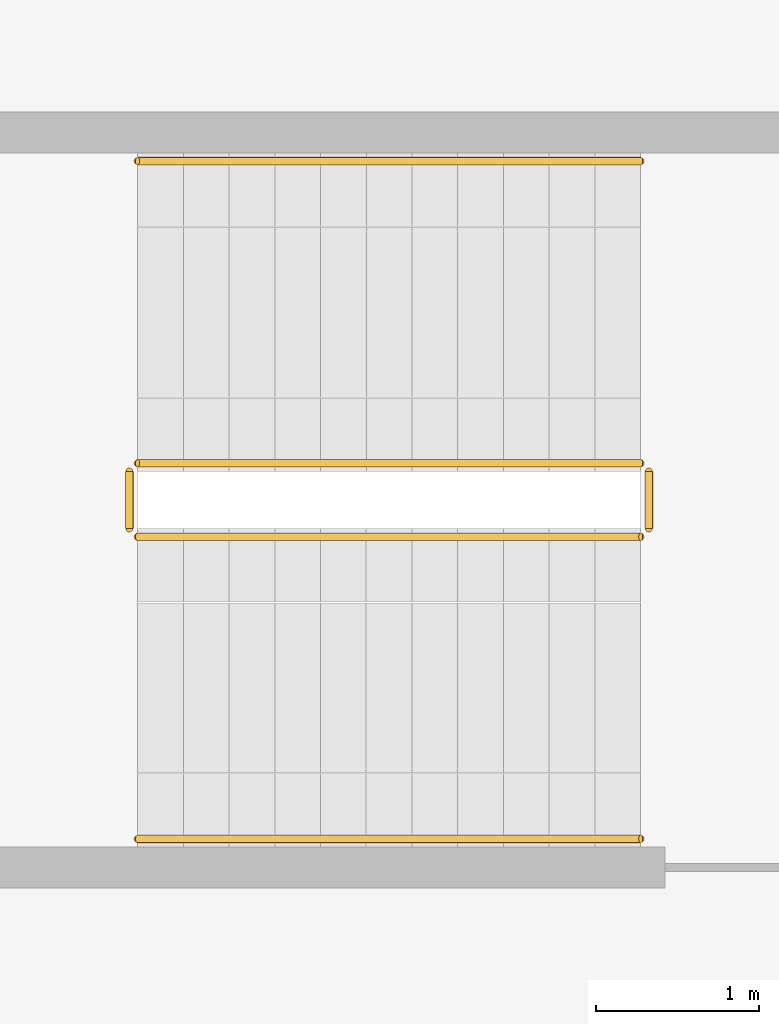
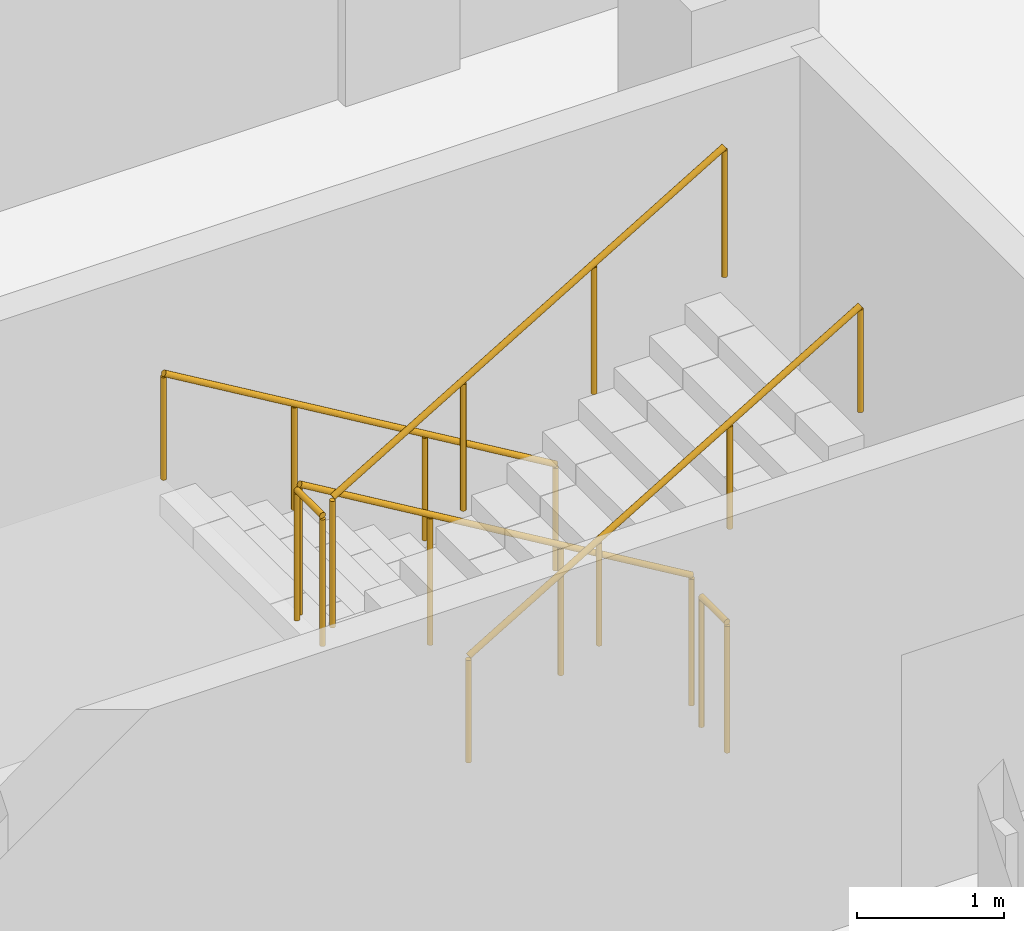
# One storey, part 15 of 15: 1 railing.
"""IFC4 building model written with IfcOpenShell, lengths in metres."""

from ifc_helpers import new_model, si_unit, direction, frame, origin, origin_2d, place, context, subcontext, project, spatial, circle, extrude, material, type_object, element, save


model = new_model("IFC4")

# Units and contexts
model_context = context("Model", 3, precision=1e-05, world=origin(), true_north=direction((0.0, 1.0)))
body_context = subcontext(model_context, "Body", "Model", "MODEL_VIEW")
ifc_project = project(units=[si_unit("LENGTHUNIT", "METRE"), si_unit("AREAUNIT", "SQUARE_METRE"), si_unit("VOLUMEUNIT", "CUBIC_METRE"), si_unit("PLANEANGLEUNIT", "RADIAN"), si_unit("MASSUNIT", "GRAM", prefix="KILO")], contexts=[model_context])

# Site, building, storey
site_placement = place(None, origin())
site = spatial("IfcSite", under=ifc_project, at=site_placement, CompositionType="ELEMENT")
building_placement = place(site_placement, origin())
building = spatial("IfcBuilding", under=site, at=building_placement, Name="Corbelhall Arena Tower", CompositionType="ELEMENT")
storey_placement = place(building_placement, frame((0.0, 0.0, 200.0)))
storey = spatial("IfcBuildingStorey", under=building, at=storey_placement, Name="L41", CompositionType="ELEMENT", Elevation=200.0)

# Railing
ifc_material = material(Name="Steel ASTM A500 Gr C", Category="steel")
railing_type = type_object("IfcRailingType", Name="IN-GD-1100", PredefinedType="GUARDRAIL", material=ifc_material)
railing_placement = place(storey_placement, frame((11.425048828125, 14.77490234375, 0.166748046875)))
element("IfcRailing", 1, at=railing_placement, inside=storey, type_object=railing_type, Name="L41 ST3 stair guards and handrails", PredefinedType="GUARDRAIL", context=body_context, shape_type="SweptSolid", body=[
    extrude(circle(Radius=0.02392578125, at=origin_2d()), frame((0.0, 0.0, 1.076171875), z_axis=(-0.859308565015, 0.0, 0.511457515432), x_axis=(0.0, -1.0, 0.0)), (0.0, 0.0, 1.0), 3.58447265625),
    extrude(circle(Radius=0.02392578125, at=origin_2d()), frame((-3.130126953125, -0.0498046875, 2.9091796875), z_axis=(0.0, -1.0, 0.0), x_axis=(1.0, 0.0, 0.0)), (0.0, 0.0, 1.0), 0.35009765625),
    extrude(circle(Radius=0.02392578125, at=origin_2d()), frame((-3.080078125, -0.449951171875, 3.076171875), z_axis=(0.859308565015, 0.0, 0.511457515432), x_axis=(0.0, 1.0, 0.0)), (0.0, 0.0, 1.0), 3.58447265625),
    extrude(circle(Radius=0.02392578125, at=origin_2d()), frame((0.050048828125, -0.0498046875, 0.9091796875), z_axis=(0.0, -1.0, 0.0), x_axis=(1.0, 0.0, 0.0)), (0.0, 0.0, 1.0), 0.35009765625),
    extrude(circle(Radius=0.02392578125, at=origin_2d()), frame((0.0, 1.85009765625, 0.8759765625), z_axis=(-0.859308565015, 0.0, 0.511457515432), x_axis=(0.0, -1.0, 0.0)), (0.0, 0.0, 1.0), 3.58447265625),
    extrude(circle(Radius=0.02392578125, at=origin_2d()), frame((-3.080078125, -2.2998046875, 2.8759765625), z_axis=(0.859308565015, 0.0, 0.511457515432), x_axis=(0.0, 1.0, 0.0)), (0.0, 0.0, 1.0), 3.58447265625),
    extrude(circle(Radius=0.02099609375, at=origin_2d()), origin(), (0.0, 0.0, 1.0), 1.052001953125),
    extrude(circle(Radius=0.02099609375, at=origin_2d()), frame((-1.026611328125, 0.0, 0.611083984375)), (0.0, 0.0, 1.0), 1.052001953125),
    extrude(circle(Radius=0.02099609375, at=origin_2d()), frame((-2.053466796875, 0.0, 1.22216796875)), (0.0, 0.0, 1.0), 1.052001953125),
    extrude(circle(Radius=0.02099609375, at=origin_2d()), frame((-3.080078125, 0.0, 1.833251953125)), (0.0, 0.0, 1.0), 1.052001953125),
    extrude(circle(Radius=0.02099609375, at=origin_2d()), frame((-3.130126953125, -0.0498046875, 1.833251953125)), (0.0, 0.0, 1.0), 1.052001953125),
    extrude(circle(Radius=0.02099609375, at=origin_2d()), frame((-3.130126953125, -0.39990234375, 1.833251953125)), (0.0, 0.0, 1.0), 1.052001953125),
    extrude(circle(Radius=0.02099609375, at=origin_2d()), frame((-3.080078125, -0.449951171875, 2.0)), (0.0, 0.0, 1.0), 1.052001953125),
    extrude(circle(Radius=0.02099609375, at=origin_2d()), frame((-2.053466796875, -0.449951171875, 2.611083984375)), (0.0, 0.0, 1.0), 1.052001953125),
    extrude(circle(Radius=0.02099609375, at=origin_2d()), frame((-1.026611328125, -0.449951171875, 3.22216796875)), (0.0, 0.0, 1.0), 1.052001953125),
    extrude(circle(Radius=0.02099609375, at=origin_2d()), frame((0.0, -0.449951171875, 3.833251953125)), (0.0, 0.0, 1.0), 1.052001953125),
    extrude(circle(Radius=0.02099609375, at=origin_2d()), frame((0.050048828125, -0.0498046875, -0.166748046875)), (0.0, 0.0, 1.0), 1.052001953125),
    extrude(circle(Radius=0.02099609375, at=origin_2d()), frame((0.050048828125, -0.39990234375, -0.166748046875)), (0.0, 0.0, 1.0), 1.052001953125),
    extrude(circle(Radius=0.02099609375, at=origin_2d()), frame((0.0, 1.85009765625, 0.0)), (0.0, 0.0, 1.0), 0.851806640625),
    extrude(circle(Radius=0.02099609375, at=origin_2d()), frame((-1.026611328125, 1.85009765625, 0.611083984375)), (0.0, 0.0, 1.0), 0.851806640625),
    extrude(circle(Radius=0.02099609375, at=origin_2d()), frame((-2.053466796875, 1.85009765625, 1.22216796875)), (0.0, 0.0, 1.0), 0.851806640625),
    extrude(circle(Radius=0.02099609375, at=origin_2d()), frame((-3.080078125, 1.85009765625, 1.833251953125)), (0.0, 0.0, 1.0), 0.851806640625),
    extrude(circle(Radius=0.02099609375, at=origin_2d()), frame((-3.080078125, -2.2998046875, 2.0)), (0.0, 0.0, 1.0), 0.851806640625),
    extrude(circle(Radius=0.02099609375, at=origin_2d()), frame((-2.053466796875, -2.2998046875, 2.611083984375)), (0.0, 0.0, 1.0), 0.851806640625),
    extrude(circle(Radius=0.02099609375, at=origin_2d()), frame((-1.026611328125, -2.2998046875, 3.22216796875)), (0.0, 0.0, 1.0), 0.851806640625),
    extrude(circle(Radius=0.02099609375, at=origin_2d()), frame((0.0, -2.2998046875, 3.833251953125)), (0.0, 0.0, 1.0), 0.851806640625),
])

save(model, "model.ifc")
